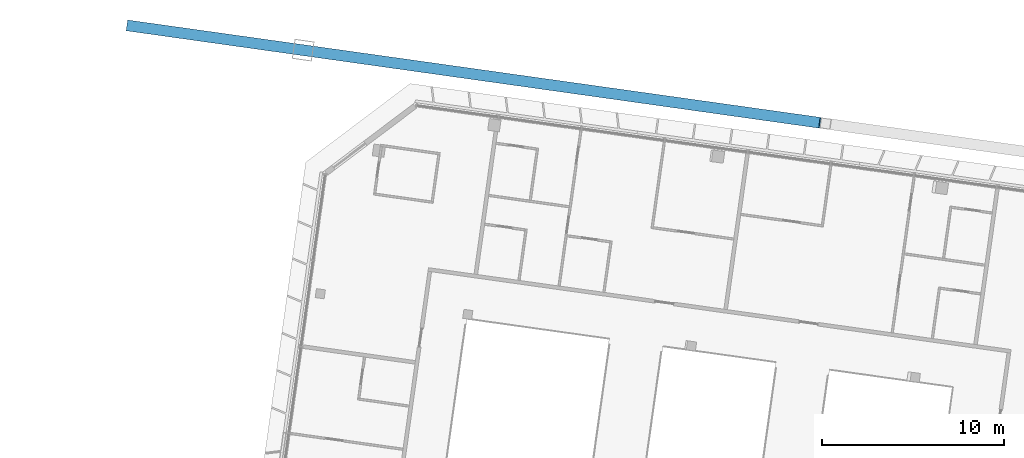
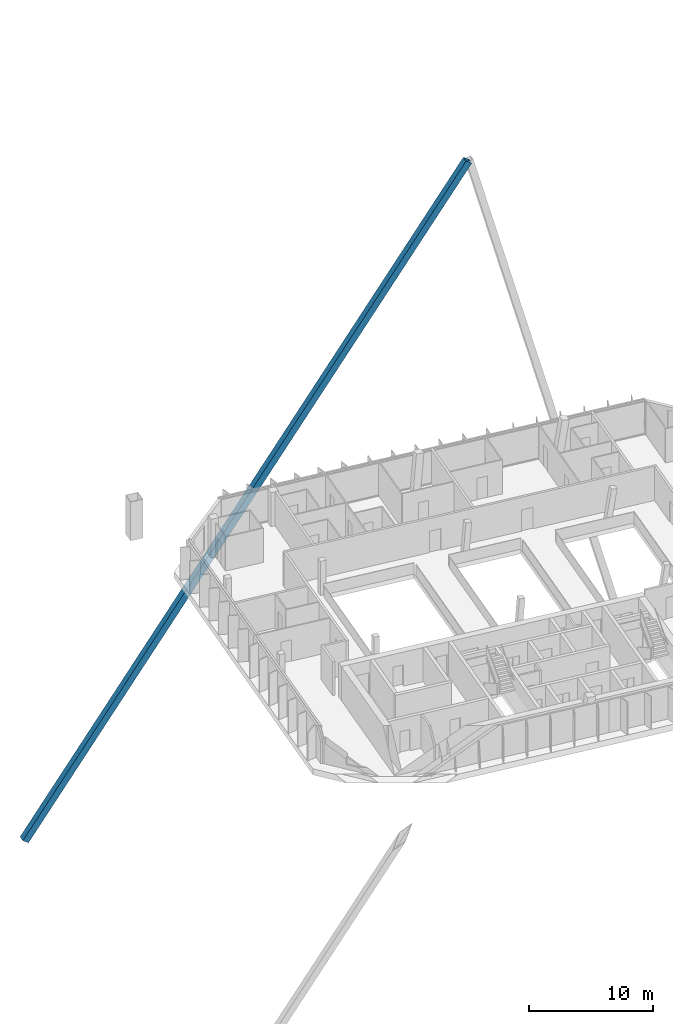
# One storey, part 6 of 28: 1 member.
"""IFC4 building model written with IfcOpenShell, lengths in metres."""

from ifc_helpers import new_model, si_unit, direction, frame, origin, origin_2d, place, context, subcontext, project, spatial, hollow_rectangle, extrude, material, material_profile, profile_set, type_object, element, save


model = new_model("IFC4")

# Units and contexts
model_context = context("Model", 3, precision=1e-05, world=origin(), true_north=direction((0.0, 1.0)))
body_context = subcontext(model_context, "Body", "Model", "MODEL_VIEW")
ifc_project = project(units=[si_unit("LENGTHUNIT", "METRE"), si_unit("AREAUNIT", "SQUARE_METRE"), si_unit("VOLUMEUNIT", "CUBIC_METRE"), si_unit("PLANEANGLEUNIT", "RADIAN"), si_unit("MASSUNIT", "GRAM", prefix="KILO")], contexts=[model_context])

# Site, building, storey
site_placement = place(None, origin())
site = spatial("IfcSite", under=ifc_project, at=site_placement, CompositionType="ELEMENT")
building_placement = place(site_placement, origin())
building = spatial("IfcBuilding", under=site, at=building_placement, Name="Mirante Cascada Hotel Towers", CompositionType="ELEMENT")
storey_placement = place(building_placement, frame((0.0, 0.0, 243.2)))
storey = spatial("IfcBuildingStorey", under=building, at=storey_placement, Name="L58", CompositionType="ELEMENT", Elevation=243.2)

# Member
ifc_material = material(Name="Steel ASTM A572 Gr 50", Category="steel")
ifc_material_profile = material_profile(ifc_material, hollow_rectangle(XDim=0.6, YDim=0.6, WallThickness=0.028, at=origin_2d()), Name="Box brace 600x600x28 ASTM A572 Gr 50")
ifc_profile_set = profile_set([ifc_material_profile], Name="Steel ASTM A572 Gr 50")
member_type = type_object("IfcMemberType", Name="Box brace 600x600x28 ASTM A572 Gr 50", PredefinedType="BRACE", material=ifc_profile_set)
member_placement = place(storey_placement, frame((-74.1689, 25.4139, -27.3819), z_axis=(0.556237, -0.0781745, 0.8273386), x_axis=(0.139174, 0.9902679, 0.0)))
element("IfcMember", 1, at=member_placement, inside=storey, type_object=member_type, Name="brace T1 L58 2", PredefinedType="BRACE", context=body_context, shape_type="SweptSolid", body=[
    extrude(hollow_rectangle(XDim=0.6, YDim=0.6, WallThickness=0.028, at=origin_2d()), origin(), (0.0, 0.0, 1.0), 68.5492),
])

save(model, "model.ifc")
